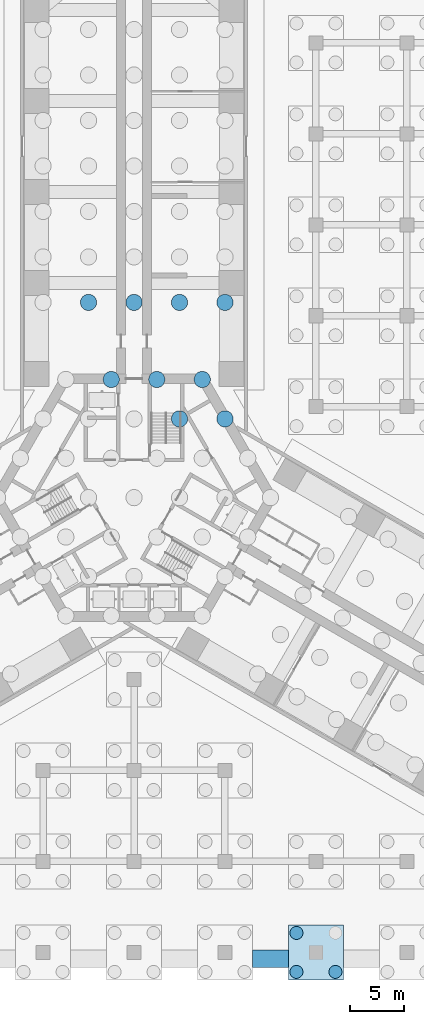
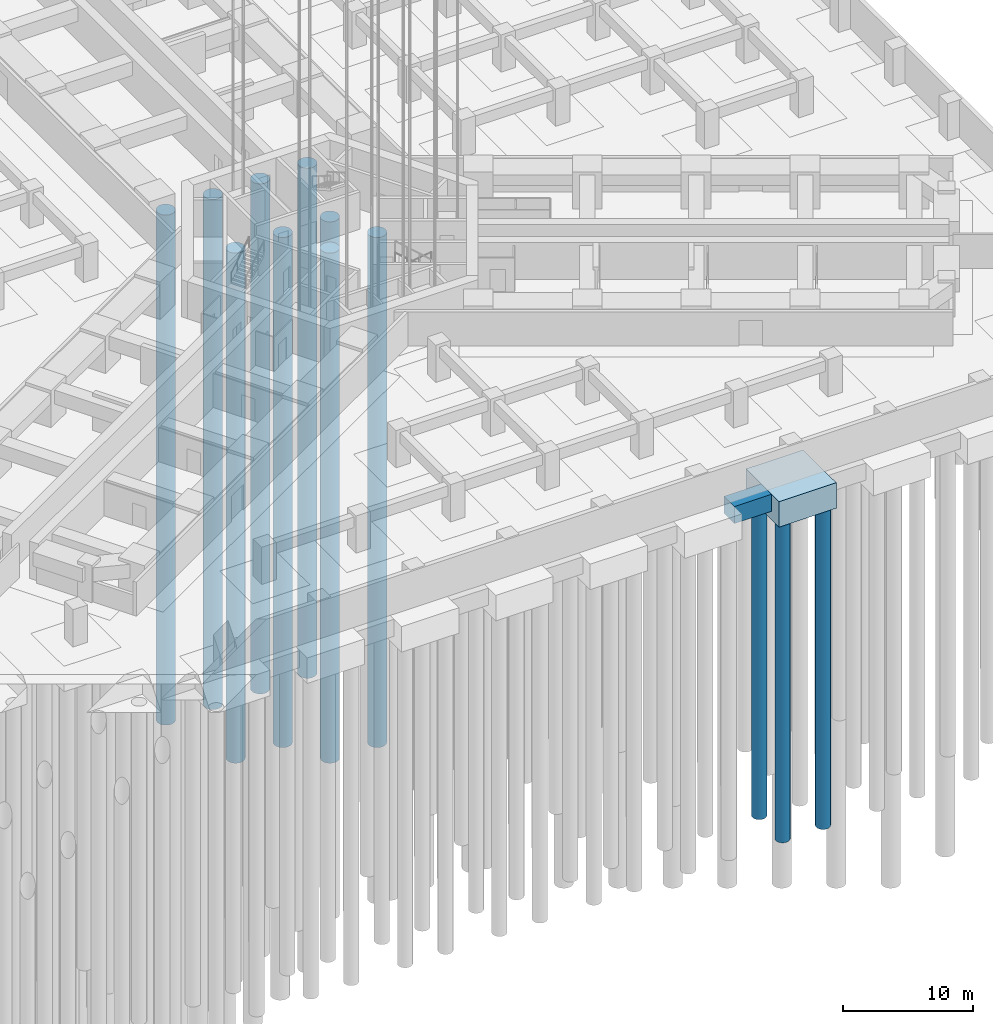
# One storey, part 19 of 73: 12 piles, 2 footings.
"""IFC4 building model written with IfcOpenShell, lengths in metres."""

from ifc_helpers import new_model, si_unit, direction, frame, origin, origin_2d, place, context, subcontext, project, spatial, polyline, circle, outline, extrude, material, material_profile, profile_set, type_object, element, save


model = new_model("IFC4")

# Units and contexts
model_context = context("Model", 3, precision=1e-05, world=origin(), true_north=direction((0.0, 1.0)))
body_context = subcontext(model_context, "Body", "Model", "MODEL_VIEW")
ifc_project = project(units=[si_unit("LENGTHUNIT", "METRE"), si_unit("AREAUNIT", "SQUARE_METRE"), si_unit("VOLUMEUNIT", "CUBIC_METRE"), si_unit("PLANEANGLEUNIT", "RADIAN"), si_unit("MASSUNIT", "GRAM", prefix="KILO")], contexts=[model_context])

# Site, building, storey
site_placement = place(None, origin())
site = spatial("IfcSite", under=ifc_project, at=site_placement, CompositionType="ELEMENT")
building_placement = place(site_placement, origin())
building = spatial("IfcBuilding", under=site, at=building_placement, Name="Impinga Residences", CompositionType="ELEMENT")
storey_placement = place(building_placement, frame((0.0, 0.0, -10.5)))
storey = spatial("IfcBuildingStorey", under=building, at=storey_placement, Name="B3", CompositionType="ELEMENT", Elevation=-10.5)

# Piles
ifc_material_1 = material(Name="Concrete C35/45", Category="concrete")
ifc_material_profile_1 = material_profile(ifc_material_1, circle(Radius=0.75, at=origin_2d()), Name="D1500")
ifc_profile_set_1 = profile_set([ifc_material_profile_1], Name="Concrete C35/45")
pile_type_1 = type_object("IfcPileType", Name="BP1 bored pile D1500", PredefinedType="BORED", material=ifc_profile_set_1)
pile_1_placement = place(storey_placement, frame((4.199951171875, 7.274658203125, -4.0), z_axis=(0.0, 0.0, -1.0), x_axis=(1.0, 0.0, 0.0)))
element("IfcPile", 1, at=pile_1_placement, inside=storey, type_object=pile_type_1, Name="Raft pile BP1-108", PredefinedType="BORED", context=body_context, shape_type="SweptSolid", body=[
    extrude(outline(polyline([(0.75, 0.0), (0.746337890625, 0.073486328125), (0.735595703125, 0.146240234375), (0.7177734375, 0.2177734375), (0.69287109375, 0.287109375), (0.661376953125, 0.353515625), (0.62353515625, 0.416748046875), (0.579833984375, 0.475830078125), (0.5302734375, 0.5302734375), (0.475830078125, 0.579833984375), (0.416748046875, 0.62353515625), (0.353515625, 0.661376953125), (0.287109375, 0.69287109375), (0.2177734375, 0.7177734375), (0.146240234375, 0.735595703125), (0.073486328125, 0.746337890625), (0.0, 0.75), (-0.073486328125, 0.746337890625), (-0.146240234375, 0.735595703125), (-0.2177734375, 0.7177734375), (-0.287109375, 0.69287109375), (-0.353515625, 0.661376953125), (-0.416748046875, 0.62353515625), (-0.475830078125, 0.579833984375), (-0.5302734375, 0.5302734375), (-0.579833984375, 0.475830078125), (-0.62353515625, 0.416748046875), (-0.661376953125, 0.353515625), (-0.69287109375, 0.287109375), (-0.7177734375, 0.2177734375), (-0.735595703125, 0.146240234375), (-0.746337890625, 0.073486328125), (-0.75, 0.0), (-0.746337890625, -0.073486328125), (-0.735595703125, -0.146240234375), (-0.7177734375, -0.2177734375), (-0.69287109375, -0.287109375), (-0.661376953125, -0.353515625), (-0.62353515625, -0.416748046875), (-0.579833984375, -0.475830078125), (-0.5302734375, -0.5302734375), (-0.475830078125, -0.579833984375), (-0.416748046875, -0.62353515625), (-0.353515625, -0.661376953125), (-0.287109375, -0.69287109375), (-0.2177734375, -0.7177734375), (-0.146240234375, -0.735595703125), (-0.073486328125, -0.746337890625), (0.0, -0.75), (0.073486328125, -0.746337890625), (0.146240234375, -0.735595703125), (0.2177734375, -0.7177734375), (0.287109375, -0.69287109375), (0.353515625, -0.661376953125), (0.416748046875, -0.62353515625), (0.475830078125, -0.579833984375), (0.5302734375, -0.5302734375), (0.579833984375, -0.475830078125), (0.62353515625, -0.416748046875), (0.661376953125, -0.353515625), (0.69287109375, -0.287109375), (0.7177734375, -0.2177734375), (0.735595703125, -0.146240234375), (0.746337890625, -0.073486328125), (0.75, 0.0)])), origin(), (0.0, 0.0, 1.0), 48.0),
])
pile_2_placement = place(storey_placement, frame((8.39990234375, 7.274658203125, -4.0), z_axis=(0.0, 0.0, -1.0), x_axis=(1.0, 0.0, 0.0)))
element("IfcPile", 2, at=pile_2_placement, inside=storey, type_object=pile_type_1, Name="Raft pile BP1-109", PredefinedType="BORED", context=body_context, shape_type="SweptSolid", body=[
    extrude(outline(polyline([(0.75, 0.0), (0.746337890625, 0.073486328125), (0.735595703125, 0.146240234375), (0.7177734375, 0.2177734375), (0.69287109375, 0.287109375), (0.661376953125, 0.353515625), (0.62353515625, 0.416748046875), (0.579833984375, 0.475830078125), (0.5302734375, 0.5302734375), (0.475830078125, 0.579833984375), (0.416748046875, 0.62353515625), (0.353515625, 0.661376953125), (0.287109375, 0.69287109375), (0.2177734375, 0.7177734375), (0.146240234375, 0.735595703125), (0.073486328125, 0.746337890625), (0.0, 0.75), (-0.073486328125, 0.746337890625), (-0.146240234375, 0.735595703125), (-0.2177734375, 0.7177734375), (-0.287109375, 0.69287109375), (-0.353515625, 0.661376953125), (-0.416748046875, 0.62353515625), (-0.475830078125, 0.579833984375), (-0.5302734375, 0.5302734375), (-0.579833984375, 0.475830078125), (-0.62353515625, 0.416748046875), (-0.661376953125, 0.353515625), (-0.69287109375, 0.287109375), (-0.7177734375, 0.2177734375), (-0.735595703125, 0.146240234375), (-0.746337890625, 0.073486328125), (-0.75, 0.0), (-0.746337890625, -0.073486328125), (-0.735595703125, -0.146240234375), (-0.7177734375, -0.2177734375), (-0.69287109375, -0.287109375), (-0.661376953125, -0.353515625), (-0.62353515625, -0.416748046875), (-0.579833984375, -0.475830078125), (-0.5302734375, -0.5302734375), (-0.475830078125, -0.579833984375), (-0.416748046875, -0.62353515625), (-0.353515625, -0.661376953125), (-0.287109375, -0.69287109375), (-0.2177734375, -0.7177734375), (-0.146240234375, -0.735595703125), (-0.073486328125, -0.746337890625), (0.0, -0.75), (0.073486328125, -0.746337890625), (0.146240234375, -0.735595703125), (0.2177734375, -0.7177734375), (0.287109375, -0.69287109375), (0.353515625, -0.661376953125), (0.416748046875, -0.62353515625), (0.475830078125, -0.579833984375), (0.5302734375, -0.5302734375), (0.579833984375, -0.475830078125), (0.62353515625, -0.416748046875), (0.661376953125, -0.353515625), (0.69287109375, -0.287109375), (0.7177734375, -0.2177734375), (0.735595703125, -0.146240234375), (0.746337890625, -0.073486328125), (0.75, 0.0)])), origin(), (0.0, 0.0, 1.0), 48.0),
])
pile_3_placement = place(storey_placement, frame((-2.10009765625, 10.911865234375, -4.0), z_axis=(0.0, 0.0, -1.0), x_axis=(1.0, 0.0, 0.0)))
element("IfcPile", 3, at=pile_3_placement, inside=storey, type_object=pile_type_1, Name="Raft pile BP1-111", PredefinedType="BORED", context=body_context, shape_type="SweptSolid", body=[
    extrude(outline(polyline([(0.75, 0.0), (0.746337890625, 0.073486328125), (0.735595703125, 0.146240234375), (0.7177734375, 0.2177734375), (0.69287109375, 0.287109375), (0.661376953125, 0.353515625), (0.62353515625, 0.416748046875), (0.579833984375, 0.475830078125), (0.5302734375, 0.5302734375), (0.475830078125, 0.579833984375), (0.416748046875, 0.62353515625), (0.353515625, 0.661376953125), (0.287109375, 0.69287109375), (0.2177734375, 0.7177734375), (0.146240234375, 0.735595703125), (0.073486328125, 0.746337890625), (0.0, 0.75), (-0.073486328125, 0.746337890625), (-0.146240234375, 0.735595703125), (-0.2177734375, 0.7177734375), (-0.287109375, 0.69287109375), (-0.353515625, 0.661376953125), (-0.416748046875, 0.62353515625), (-0.475830078125, 0.579833984375), (-0.5302734375, 0.5302734375), (-0.579833984375, 0.475830078125), (-0.62353515625, 0.416748046875), (-0.661376953125, 0.353515625), (-0.69287109375, 0.287109375), (-0.7177734375, 0.2177734375), (-0.735595703125, 0.146240234375), (-0.746337890625, 0.073486328125), (-0.75, 0.0), (-0.746337890625, -0.073486328125), (-0.735595703125, -0.146240234375), (-0.7177734375, -0.2177734375), (-0.69287109375, -0.287109375), (-0.661376953125, -0.353515625), (-0.62353515625, -0.416748046875), (-0.579833984375, -0.475830078125), (-0.5302734375, -0.5302734375), (-0.475830078125, -0.579833984375), (-0.416748046875, -0.62353515625), (-0.353515625, -0.661376953125), (-0.287109375, -0.69287109375), (-0.2177734375, -0.7177734375), (-0.146240234375, -0.735595703125), (-0.073486328125, -0.746337890625), (0.0, -0.75), (0.073486328125, -0.746337890625), (0.146240234375, -0.735595703125), (0.2177734375, -0.7177734375), (0.287109375, -0.69287109375), (0.353515625, -0.661376953125), (0.416748046875, -0.62353515625), (0.475830078125, -0.579833984375), (0.5302734375, -0.5302734375), (0.579833984375, -0.475830078125), (0.62353515625, -0.416748046875), (0.661376953125, -0.353515625), (0.69287109375, -0.287109375), (0.7177734375, -0.2177734375), (0.735595703125, -0.146240234375), (0.746337890625, -0.073486328125), (0.75, 0.0)])), origin(), (0.0, 0.0, 1.0), 48.0),
])
pile_4_placement = place(storey_placement, frame((2.10009765625, 10.911865234375, -4.0), z_axis=(0.0, 0.0, -1.0), x_axis=(1.0, 0.0, 0.0)))
element("IfcPile", 4, at=pile_4_placement, inside=storey, type_object=pile_type_1, Name="Raft pile BP1-112", PredefinedType="BORED", context=body_context, shape_type="SweptSolid", body=[
    extrude(outline(polyline([(0.75, 0.0), (0.746337890625, 0.073486328125), (0.735595703125, 0.146240234375), (0.7177734375, 0.2177734375), (0.69287109375, 0.287109375), (0.661376953125, 0.353515625), (0.62353515625, 0.416748046875), (0.579833984375, 0.475830078125), (0.5302734375, 0.5302734375), (0.475830078125, 0.579833984375), (0.416748046875, 0.62353515625), (0.353515625, 0.661376953125), (0.287109375, 0.69287109375), (0.2177734375, 0.7177734375), (0.146240234375, 0.735595703125), (0.073486328125, 0.746337890625), (0.0, 0.75), (-0.073486328125, 0.746337890625), (-0.146240234375, 0.735595703125), (-0.2177734375, 0.7177734375), (-0.287109375, 0.69287109375), (-0.353515625, 0.661376953125), (-0.416748046875, 0.62353515625), (-0.475830078125, 0.579833984375), (-0.5302734375, 0.5302734375), (-0.579833984375, 0.475830078125), (-0.62353515625, 0.416748046875), (-0.661376953125, 0.353515625), (-0.69287109375, 0.287109375), (-0.7177734375, 0.2177734375), (-0.735595703125, 0.146240234375), (-0.746337890625, 0.073486328125), (-0.75, 0.0), (-0.746337890625, -0.073486328125), (-0.735595703125, -0.146240234375), (-0.7177734375, -0.2177734375), (-0.69287109375, -0.287109375), (-0.661376953125, -0.353515625), (-0.62353515625, -0.416748046875), (-0.579833984375, -0.475830078125), (-0.5302734375, -0.5302734375), (-0.475830078125, -0.579833984375), (-0.416748046875, -0.62353515625), (-0.353515625, -0.661376953125), (-0.287109375, -0.69287109375), (-0.2177734375, -0.7177734375), (-0.146240234375, -0.735595703125), (-0.073486328125, -0.746337890625), (0.0, -0.75), (0.073486328125, -0.746337890625), (0.146240234375, -0.735595703125), (0.2177734375, -0.7177734375), (0.287109375, -0.69287109375), (0.353515625, -0.661376953125), (0.416748046875, -0.62353515625), (0.475830078125, -0.579833984375), (0.5302734375, -0.5302734375), (0.579833984375, -0.475830078125), (0.62353515625, -0.416748046875), (0.661376953125, -0.353515625), (0.69287109375, -0.287109375), (0.7177734375, -0.2177734375), (0.735595703125, -0.146240234375), (0.746337890625, -0.073486328125), (0.75, 0.0)])), origin(), (0.0, 0.0, 1.0), 48.0),
])
pile_5_placement = place(storey_placement, frame((6.300048828125, 10.911865234375, -4.0), z_axis=(0.0, 0.0, -1.0), x_axis=(1.0, 0.0, 0.0)))
element("IfcPile", 5, at=pile_5_placement, inside=storey, type_object=pile_type_1, Name="Raft pile BP1-113", PredefinedType="BORED", context=body_context, shape_type="SweptSolid", body=[
    extrude(outline(polyline([(0.75, 0.0), (0.746337890625, 0.073486328125), (0.735595703125, 0.146240234375), (0.7177734375, 0.2177734375), (0.69287109375, 0.287109375), (0.661376953125, 0.353515625), (0.62353515625, 0.416748046875), (0.579833984375, 0.475830078125), (0.5302734375, 0.5302734375), (0.475830078125, 0.579833984375), (0.416748046875, 0.62353515625), (0.353515625, 0.661376953125), (0.287109375, 0.69287109375), (0.2177734375, 0.7177734375), (0.146240234375, 0.735595703125), (0.073486328125, 0.746337890625), (0.0, 0.75), (-0.073486328125, 0.746337890625), (-0.146240234375, 0.735595703125), (-0.2177734375, 0.7177734375), (-0.287109375, 0.69287109375), (-0.353515625, 0.661376953125), (-0.416748046875, 0.62353515625), (-0.475830078125, 0.579833984375), (-0.5302734375, 0.5302734375), (-0.579833984375, 0.475830078125), (-0.62353515625, 0.416748046875), (-0.661376953125, 0.353515625), (-0.69287109375, 0.287109375), (-0.7177734375, 0.2177734375), (-0.735595703125, 0.146240234375), (-0.746337890625, 0.073486328125), (-0.75, 0.0), (-0.746337890625, -0.073486328125), (-0.735595703125, -0.146240234375), (-0.7177734375, -0.2177734375), (-0.69287109375, -0.287109375), (-0.661376953125, -0.353515625), (-0.62353515625, -0.416748046875), (-0.579833984375, -0.475830078125), (-0.5302734375, -0.5302734375), (-0.475830078125, -0.579833984375), (-0.416748046875, -0.62353515625), (-0.353515625, -0.661376953125), (-0.287109375, -0.69287109375), (-0.2177734375, -0.7177734375), (-0.146240234375, -0.735595703125), (-0.073486328125, -0.746337890625), (0.0, -0.75), (0.073486328125, -0.746337890625), (0.146240234375, -0.735595703125), (0.2177734375, -0.7177734375), (0.287109375, -0.69287109375), (0.353515625, -0.661376953125), (0.416748046875, -0.62353515625), (0.475830078125, -0.579833984375), (0.5302734375, -0.5302734375), (0.579833984375, -0.475830078125), (0.62353515625, -0.416748046875), (0.661376953125, -0.353515625), (0.69287109375, -0.287109375), (0.7177734375, -0.2177734375), (0.735595703125, -0.146240234375), (0.746337890625, -0.073486328125), (0.75, 0.0)])), origin(), (0.0, 0.0, 1.0), 48.0),
])
pile_6_placement = place(storey_placement, frame((-4.199951171875, 18.031494140625, -4.0), z_axis=(0.0, 0.0, -1.0), x_axis=(1.0, 0.0, 0.0)))
element("IfcPile", 6, at=pile_6_placement, inside=storey, type_object=pile_type_1, Name="Raft pile BP1-115", PredefinedType="BORED", context=body_context, shape_type="SweptSolid", body=[
    extrude(outline(polyline([(0.75, 0.0), (0.746337890625, 0.073486328125), (0.735595703125, 0.146240234375), (0.7177734375, 0.2177734375), (0.69287109375, 0.287109375), (0.661376953125, 0.353515625), (0.62353515625, 0.416748046875), (0.579833984375, 0.475830078125), (0.5302734375, 0.5302734375), (0.475830078125, 0.579833984375), (0.416748046875, 0.62353515625), (0.353515625, 0.661376953125), (0.287109375, 0.69287109375), (0.2177734375, 0.7177734375), (0.146240234375, 0.735595703125), (0.073486328125, 0.746337890625), (0.0, 0.75), (-0.073486328125, 0.746337890625), (-0.146240234375, 0.735595703125), (-0.2177734375, 0.7177734375), (-0.287109375, 0.69287109375), (-0.353515625, 0.661376953125), (-0.416748046875, 0.62353515625), (-0.475830078125, 0.579833984375), (-0.5302734375, 0.5302734375), (-0.579833984375, 0.475830078125), (-0.62353515625, 0.416748046875), (-0.661376953125, 0.353515625), (-0.69287109375, 0.287109375), (-0.7177734375, 0.2177734375), (-0.735595703125, 0.146240234375), (-0.746337890625, 0.073486328125), (-0.75, 0.0), (-0.746337890625, -0.073486328125), (-0.735595703125, -0.146240234375), (-0.7177734375, -0.2177734375), (-0.69287109375, -0.287109375), (-0.661376953125, -0.353515625), (-0.62353515625, -0.416748046875), (-0.579833984375, -0.475830078125), (-0.5302734375, -0.5302734375), (-0.475830078125, -0.579833984375), (-0.416748046875, -0.62353515625), (-0.353515625, -0.661376953125), (-0.287109375, -0.69287109375), (-0.2177734375, -0.7177734375), (-0.146240234375, -0.735595703125), (-0.073486328125, -0.746337890625), (0.0, -0.75), (0.073486328125, -0.746337890625), (0.146240234375, -0.735595703125), (0.2177734375, -0.7177734375), (0.287109375, -0.69287109375), (0.353515625, -0.661376953125), (0.416748046875, -0.62353515625), (0.475830078125, -0.579833984375), (0.5302734375, -0.5302734375), (0.579833984375, -0.475830078125), (0.62353515625, -0.416748046875), (0.661376953125, -0.353515625), (0.69287109375, -0.287109375), (0.7177734375, -0.2177734375), (0.735595703125, -0.146240234375), (0.746337890625, -0.073486328125), (0.75, 0.0)])), origin(), (0.0, 0.0, 1.0), 48.0),
])
pile_7_placement = place(storey_placement, frame((0.0, 18.031494140625, -4.0), z_axis=(0.0, 0.0, -1.0), x_axis=(1.0, 0.0, 0.0)))
element("IfcPile", 7, at=pile_7_placement, inside=storey, type_object=pile_type_1, Name="Raft pile BP1-116", PredefinedType="BORED", context=body_context, shape_type="SweptSolid", body=[
    extrude(outline(polyline([(0.75, 0.0), (0.746337890625, 0.073486328125), (0.735595703125, 0.146240234375), (0.7177734375, 0.2177734375), (0.69287109375, 0.287109375), (0.661376953125, 0.353515625), (0.62353515625, 0.416748046875), (0.579833984375, 0.475830078125), (0.5302734375, 0.5302734375), (0.475830078125, 0.579833984375), (0.416748046875, 0.62353515625), (0.353515625, 0.661376953125), (0.287109375, 0.69287109375), (0.2177734375, 0.7177734375), (0.146240234375, 0.735595703125), (0.073486328125, 0.746337890625), (0.0, 0.75), (-0.073486328125, 0.746337890625), (-0.146240234375, 0.735595703125), (-0.2177734375, 0.7177734375), (-0.287109375, 0.69287109375), (-0.353515625, 0.661376953125), (-0.416748046875, 0.62353515625), (-0.475830078125, 0.579833984375), (-0.5302734375, 0.5302734375), (-0.579833984375, 0.475830078125), (-0.62353515625, 0.416748046875), (-0.661376953125, 0.353515625), (-0.69287109375, 0.287109375), (-0.7177734375, 0.2177734375), (-0.735595703125, 0.146240234375), (-0.746337890625, 0.073486328125), (-0.75, 0.0), (-0.746337890625, -0.073486328125), (-0.735595703125, -0.146240234375), (-0.7177734375, -0.2177734375), (-0.69287109375, -0.287109375), (-0.661376953125, -0.353515625), (-0.62353515625, -0.416748046875), (-0.579833984375, -0.475830078125), (-0.5302734375, -0.5302734375), (-0.475830078125, -0.579833984375), (-0.416748046875, -0.62353515625), (-0.353515625, -0.661376953125), (-0.287109375, -0.69287109375), (-0.2177734375, -0.7177734375), (-0.146240234375, -0.735595703125), (-0.073486328125, -0.746337890625), (0.0, -0.75), (0.073486328125, -0.746337890625), (0.146240234375, -0.735595703125), (0.2177734375, -0.7177734375), (0.287109375, -0.69287109375), (0.353515625, -0.661376953125), (0.416748046875, -0.62353515625), (0.475830078125, -0.579833984375), (0.5302734375, -0.5302734375), (0.579833984375, -0.475830078125), (0.62353515625, -0.416748046875), (0.661376953125, -0.353515625), (0.69287109375, -0.287109375), (0.7177734375, -0.2177734375), (0.735595703125, -0.146240234375), (0.746337890625, -0.073486328125), (0.75, 0.0)])), origin(), (0.0, 0.0, 1.0), 48.0),
])
pile_8_placement = place(storey_placement, frame((4.199951171875, 18.031494140625, -4.0), z_axis=(0.0, 0.0, -1.0), x_axis=(1.0, 0.0, 0.0)))
element("IfcPile", 8, at=pile_8_placement, inside=storey, type_object=pile_type_1, Name="Raft pile BP1-117", PredefinedType="BORED", context=body_context, shape_type="SweptSolid", body=[
    extrude(outline(polyline([(0.75, 0.0), (0.746337890625, 0.073486328125), (0.735595703125, 0.146240234375), (0.7177734375, 0.2177734375), (0.69287109375, 0.287109375), (0.661376953125, 0.353515625), (0.62353515625, 0.416748046875), (0.579833984375, 0.475830078125), (0.5302734375, 0.5302734375), (0.475830078125, 0.579833984375), (0.416748046875, 0.62353515625), (0.353515625, 0.661376953125), (0.287109375, 0.69287109375), (0.2177734375, 0.7177734375), (0.146240234375, 0.735595703125), (0.073486328125, 0.746337890625), (0.0, 0.75), (-0.073486328125, 0.746337890625), (-0.146240234375, 0.735595703125), (-0.2177734375, 0.7177734375), (-0.287109375, 0.69287109375), (-0.353515625, 0.661376953125), (-0.416748046875, 0.62353515625), (-0.475830078125, 0.579833984375), (-0.5302734375, 0.5302734375), (-0.579833984375, 0.475830078125), (-0.62353515625, 0.416748046875), (-0.661376953125, 0.353515625), (-0.69287109375, 0.287109375), (-0.7177734375, 0.2177734375), (-0.735595703125, 0.146240234375), (-0.746337890625, 0.073486328125), (-0.75, 0.0), (-0.746337890625, -0.073486328125), (-0.735595703125, -0.146240234375), (-0.7177734375, -0.2177734375), (-0.69287109375, -0.287109375), (-0.661376953125, -0.353515625), (-0.62353515625, -0.416748046875), (-0.579833984375, -0.475830078125), (-0.5302734375, -0.5302734375), (-0.475830078125, -0.579833984375), (-0.416748046875, -0.62353515625), (-0.353515625, -0.661376953125), (-0.287109375, -0.69287109375), (-0.2177734375, -0.7177734375), (-0.146240234375, -0.735595703125), (-0.073486328125, -0.746337890625), (0.0, -0.75), (0.073486328125, -0.746337890625), (0.146240234375, -0.735595703125), (0.2177734375, -0.7177734375), (0.287109375, -0.69287109375), (0.353515625, -0.661376953125), (0.416748046875, -0.62353515625), (0.475830078125, -0.579833984375), (0.5302734375, -0.5302734375), (0.579833984375, -0.475830078125), (0.62353515625, -0.416748046875), (0.661376953125, -0.353515625), (0.69287109375, -0.287109375), (0.7177734375, -0.2177734375), (0.735595703125, -0.146240234375), (0.746337890625, -0.073486328125), (0.75, 0.0)])), origin(), (0.0, 0.0, 1.0), 48.0),
])
pile_9_placement = place(storey_placement, frame((8.39990234375, 18.031494140625, -4.0), z_axis=(0.0, 0.0, -1.0), x_axis=(1.0, 0.0, 0.0)))
element("IfcPile", 9, at=pile_9_placement, inside=storey, type_object=pile_type_1, Name="Raft pile BP1-118", PredefinedType="BORED", context=body_context, shape_type="SweptSolid", body=[
    extrude(outline(polyline([(0.75, 0.0), (0.746337890625, 0.073486328125), (0.735595703125, 0.146240234375), (0.7177734375, 0.2177734375), (0.69287109375, 0.287109375), (0.661376953125, 0.353515625), (0.62353515625, 0.416748046875), (0.579833984375, 0.475830078125), (0.5302734375, 0.5302734375), (0.475830078125, 0.579833984375), (0.416748046875, 0.62353515625), (0.353515625, 0.661376953125), (0.287109375, 0.69287109375), (0.2177734375, 0.7177734375), (0.146240234375, 0.735595703125), (0.073486328125, 0.746337890625), (0.0, 0.75), (-0.073486328125, 0.746337890625), (-0.146240234375, 0.735595703125), (-0.2177734375, 0.7177734375), (-0.287109375, 0.69287109375), (-0.353515625, 0.661376953125), (-0.416748046875, 0.62353515625), (-0.475830078125, 0.579833984375), (-0.5302734375, 0.5302734375), (-0.579833984375, 0.475830078125), (-0.62353515625, 0.416748046875), (-0.661376953125, 0.353515625), (-0.69287109375, 0.287109375), (-0.7177734375, 0.2177734375), (-0.735595703125, 0.146240234375), (-0.746337890625, 0.073486328125), (-0.75, 0.0), (-0.746337890625, -0.073486328125), (-0.735595703125, -0.146240234375), (-0.7177734375, -0.2177734375), (-0.69287109375, -0.287109375), (-0.661376953125, -0.353515625), (-0.62353515625, -0.416748046875), (-0.579833984375, -0.475830078125), (-0.5302734375, -0.5302734375), (-0.475830078125, -0.579833984375), (-0.416748046875, -0.62353515625), (-0.353515625, -0.661376953125), (-0.287109375, -0.69287109375), (-0.2177734375, -0.7177734375), (-0.146240234375, -0.735595703125), (-0.073486328125, -0.746337890625), (0.0, -0.75), (0.073486328125, -0.746337890625), (0.146240234375, -0.735595703125), (0.2177734375, -0.7177734375), (0.287109375, -0.69287109375), (0.353515625, -0.661376953125), (0.416748046875, -0.62353515625), (0.475830078125, -0.579833984375), (0.5302734375, -0.5302734375), (0.579833984375, -0.475830078125), (0.62353515625, -0.416748046875), (0.661376953125, -0.353515625), (0.69287109375, -0.287109375), (0.7177734375, -0.2177734375), (0.735595703125, -0.146240234375), (0.746337890625, -0.073486328125), (0.75, 0.0)])), origin(), (0.0, 0.0, 1.0), 48.0),
])
ifc_material_profile_2 = material_profile(ifc_material_1, circle(Radius=0.60009765625, at=origin_2d()), Name="D1200")
ifc_profile_set_2 = profile_set([ifc_material_profile_2], Name="Concrete C35/45")
pile_type_2 = type_object("IfcPileType", Name="BP2 bored pile D1200", PredefinedType="BORED", material=ifc_profile_set_2)
pile_10_placement = place(storey_placement, frame((15.0, -43.800048828125, -2.39990234375), z_axis=(0.0, 0.0, -1.0), x_axis=(1.0, 0.0, 0.0)))
element("IfcPile", 10, at=pile_10_placement, inside=storey, type_object=pile_type_2, Name="Cap pile BP2 9/A-1", PredefinedType="BORED", context=body_context, shape_type="SweptSolid", body=[
    extrude(outline(polyline([(0.60009765625, 0.0), (0.59716796875, 0.058837890625), (0.58837890625, 0.116943359375), (0.57421875, 0.174072265625), (0.554443359375, 0.2294921875), (0.529052734375, 0.282958984375), (0.498779296875, 0.333251953125), (0.4638671875, 0.380615234375), (0.42431640625, 0.42431640625), (0.380615234375, 0.4638671875), (0.333251953125, 0.498779296875), (0.282958984375, 0.529052734375), (0.2294921875, 0.554443359375), (0.174072265625, 0.57421875), (0.116943359375, 0.58837890625), (0.058837890625, 0.59716796875), (0.0, 0.60009765625), (-0.058837890625, 0.59716796875), (-0.116943359375, 0.58837890625), (-0.174072265625, 0.57421875), (-0.2294921875, 0.554443359375), (-0.282958984375, 0.529052734375), (-0.333251953125, 0.498779296875), (-0.380615234375, 0.4638671875), (-0.42431640625, 0.42431640625), (-0.4638671875, 0.380615234375), (-0.498779296875, 0.333251953125), (-0.529052734375, 0.282958984375), (-0.554443359375, 0.2294921875), (-0.57421875, 0.174072265625), (-0.58837890625, 0.116943359375), (-0.59716796875, 0.058837890625), (-0.60009765625, 0.0), (-0.59716796875, -0.058837890625), (-0.58837890625, -0.116943359375), (-0.57421875, -0.174072265625), (-0.554443359375, -0.2294921875), (-0.529052734375, -0.282958984375), (-0.498779296875, -0.333251953125), (-0.4638671875, -0.380615234375), (-0.42431640625, -0.42431640625), (-0.380615234375, -0.4638671875), (-0.333251953125, -0.498779296875), (-0.282958984375, -0.529052734375), (-0.2294921875, -0.554443359375), (-0.174072265625, -0.57421875), (-0.116943359375, -0.58837890625), (-0.058837890625, -0.59716796875), (0.0, -0.60009765625), (0.058837890625, -0.59716796875), (0.116943359375, -0.58837890625), (0.174072265625, -0.57421875), (0.2294921875, -0.554443359375), (0.282958984375, -0.529052734375), (0.333251953125, -0.498779296875), (0.380615234375, -0.4638671875), (0.42431640625, -0.42431640625), (0.4638671875, -0.380615234375), (0.498779296875, -0.333251953125), (0.529052734375, -0.282958984375), (0.554443359375, -0.2294921875), (0.57421875, -0.174072265625), (0.58837890625, -0.116943359375), (0.59716796875, -0.058837890625), (0.60009765625, 0.0)])), origin(), (0.0, 0.0, 1.0), 30.0),
])
pile_11_placement = place(storey_placement, frame((18.60009765625, -43.800048828125, -2.39990234375), z_axis=(0.0, 0.0, -1.0), x_axis=(1.0, 0.0, 0.0)))
element("IfcPile", 11, at=pile_11_placement, inside=storey, type_object=pile_type_2, Name="Cap pile BP2 9/A-2", PredefinedType="BORED", context=body_context, shape_type="SweptSolid", body=[
    extrude(outline(polyline([(0.60009765625, 0.0), (0.59716796875, 0.058837890625), (0.58837890625, 0.116943359375), (0.57421875, 0.174072265625), (0.554443359375, 0.2294921875), (0.529052734375, 0.282958984375), (0.498779296875, 0.333251953125), (0.4638671875, 0.380615234375), (0.42431640625, 0.42431640625), (0.380615234375, 0.4638671875), (0.333251953125, 0.498779296875), (0.282958984375, 0.529052734375), (0.2294921875, 0.554443359375), (0.174072265625, 0.57421875), (0.116943359375, 0.58837890625), (0.058837890625, 0.59716796875), (0.0, 0.60009765625), (-0.058837890625, 0.59716796875), (-0.116943359375, 0.58837890625), (-0.174072265625, 0.57421875), (-0.2294921875, 0.554443359375), (-0.282958984375, 0.529052734375), (-0.333251953125, 0.498779296875), (-0.380615234375, 0.4638671875), (-0.42431640625, 0.42431640625), (-0.4638671875, 0.380615234375), (-0.498779296875, 0.333251953125), (-0.529052734375, 0.282958984375), (-0.554443359375, 0.2294921875), (-0.57421875, 0.174072265625), (-0.58837890625, 0.116943359375), (-0.59716796875, 0.058837890625), (-0.60009765625, 0.0), (-0.59716796875, -0.058837890625), (-0.58837890625, -0.116943359375), (-0.57421875, -0.174072265625), (-0.554443359375, -0.2294921875), (-0.529052734375, -0.282958984375), (-0.498779296875, -0.333251953125), (-0.4638671875, -0.380615234375), (-0.42431640625, -0.42431640625), (-0.380615234375, -0.4638671875), (-0.333251953125, -0.498779296875), (-0.282958984375, -0.529052734375), (-0.2294921875, -0.554443359375), (-0.174072265625, -0.57421875), (-0.116943359375, -0.58837890625), (-0.058837890625, -0.59716796875), (0.0, -0.60009765625), (0.058837890625, -0.59716796875), (0.116943359375, -0.58837890625), (0.174072265625, -0.57421875), (0.2294921875, -0.554443359375), (0.282958984375, -0.529052734375), (0.333251953125, -0.498779296875), (0.380615234375, -0.4638671875), (0.42431640625, -0.42431640625), (0.4638671875, -0.380615234375), (0.498779296875, -0.333251953125), (0.529052734375, -0.282958984375), (0.554443359375, -0.2294921875), (0.57421875, -0.174072265625), (0.58837890625, -0.116943359375), (0.59716796875, -0.058837890625), (0.60009765625, 0.0)])), origin(), (0.0, 0.0, 1.0), 30.0),
])
pile_12_placement = place(storey_placement, frame((15.0, -40.199951171875, -2.39990234375), z_axis=(0.0, 0.0, -1.0), x_axis=(1.0, 0.0, 0.0)))
element("IfcPile", 12, at=pile_12_placement, inside=storey, type_object=pile_type_2, Name="Cap pile BP2 9/A-4", PredefinedType="BORED", context=body_context, shape_type="SweptSolid", body=[
    extrude(outline(polyline([(0.60009765625, 0.0), (0.59716796875, 0.058837890625), (0.58837890625, 0.116943359375), (0.57421875, 0.174072265625), (0.554443359375, 0.2294921875), (0.529052734375, 0.282958984375), (0.498779296875, 0.333251953125), (0.4638671875, 0.380615234375), (0.42431640625, 0.42431640625), (0.380615234375, 0.4638671875), (0.333251953125, 0.498779296875), (0.282958984375, 0.529052734375), (0.2294921875, 0.554443359375), (0.174072265625, 0.57421875), (0.116943359375, 0.58837890625), (0.058837890625, 0.59716796875), (0.0, 0.60009765625), (-0.058837890625, 0.59716796875), (-0.116943359375, 0.58837890625), (-0.174072265625, 0.57421875), (-0.2294921875, 0.554443359375), (-0.282958984375, 0.529052734375), (-0.333251953125, 0.498779296875), (-0.380615234375, 0.4638671875), (-0.42431640625, 0.42431640625), (-0.4638671875, 0.380615234375), (-0.498779296875, 0.333251953125), (-0.529052734375, 0.282958984375), (-0.554443359375, 0.2294921875), (-0.57421875, 0.174072265625), (-0.58837890625, 0.116943359375), (-0.59716796875, 0.058837890625), (-0.60009765625, 0.0), (-0.59716796875, -0.058837890625), (-0.58837890625, -0.116943359375), (-0.57421875, -0.174072265625), (-0.554443359375, -0.2294921875), (-0.529052734375, -0.282958984375), (-0.498779296875, -0.333251953125), (-0.4638671875, -0.380615234375), (-0.42431640625, -0.42431640625), (-0.380615234375, -0.4638671875), (-0.333251953125, -0.498779296875), (-0.282958984375, -0.529052734375), (-0.2294921875, -0.554443359375), (-0.174072265625, -0.57421875), (-0.116943359375, -0.58837890625), (-0.058837890625, -0.59716796875), (0.0, -0.60009765625), (0.058837890625, -0.59716796875), (0.116943359375, -0.58837890625), (0.174072265625, -0.57421875), (0.2294921875, -0.554443359375), (0.282958984375, -0.529052734375), (0.333251953125, -0.498779296875), (0.380615234375, -0.4638671875), (0.42431640625, -0.42431640625), (0.4638671875, -0.380615234375), (0.498779296875, -0.333251953125), (0.529052734375, -0.282958984375), (0.554443359375, -0.2294921875), (0.57421875, -0.174072265625), (0.58837890625, -0.116943359375), (0.59716796875, -0.058837890625), (0.60009765625, 0.0)])), origin(), (0.0, 0.0, 1.0), 30.0),
])

# Footings
ifc_material_2 = material(Name="Concrete C45/55", Category="concrete")
footing_type_1 = type_object("IfcFootingType", Name="PC4 four-pile cap 5100 square 2400 deep", PredefinedType="PILE_CAP", material=ifc_material_2)
footing_1_placement = place(storey_placement, frame((0.0, 0.0, -2.39990234375)))
element("IfcFooting", 13, at=footing_1_placement, inside=storey, type_object=footing_type_1, Name="Pile cap PC4 9/A", PredefinedType="PILE_CAP", context=body_context, shape_type="SweptSolid", body=[
    extrude(outline(polyline([(19.35009765625, -44.550048828125), (19.35009765625, -39.449951171875), (14.25, -39.449951171875), (14.25, -44.550048828125), (19.35009765625, -44.550048828125)])), origin(), (0.0, 0.0, 1.0), 2.39990234375),
])
footing_type_2 = type_object("IfcFootingType", Name="SF1 strip footing 1600 wide 1600 deep", PredefinedType="STRIP_FOOTING", material=ifc_material_2)
footing_2_placement = place(storey_placement, frame((0.0, 0.0, -1.60009765625)))
element("IfcFooting", 14, at=footing_2_placement, inside=storey, type_object=footing_type_2, Name="Strip footing SF1 S 5", PredefinedType="STRIP_FOOTING", context=body_context, shape_type="SweptSolid", body=[
    extrude(outline(polyline([(10.949951171875, -43.39990234375), (10.949951171875, -41.800048828125), (14.25, -41.800048828125), (14.25, -43.39990234375), (10.949951171875, -43.39990234375)])), origin(), (0.0, 0.0, 1.0), 1.60009765625),
])

save(model, "model.ifc")
